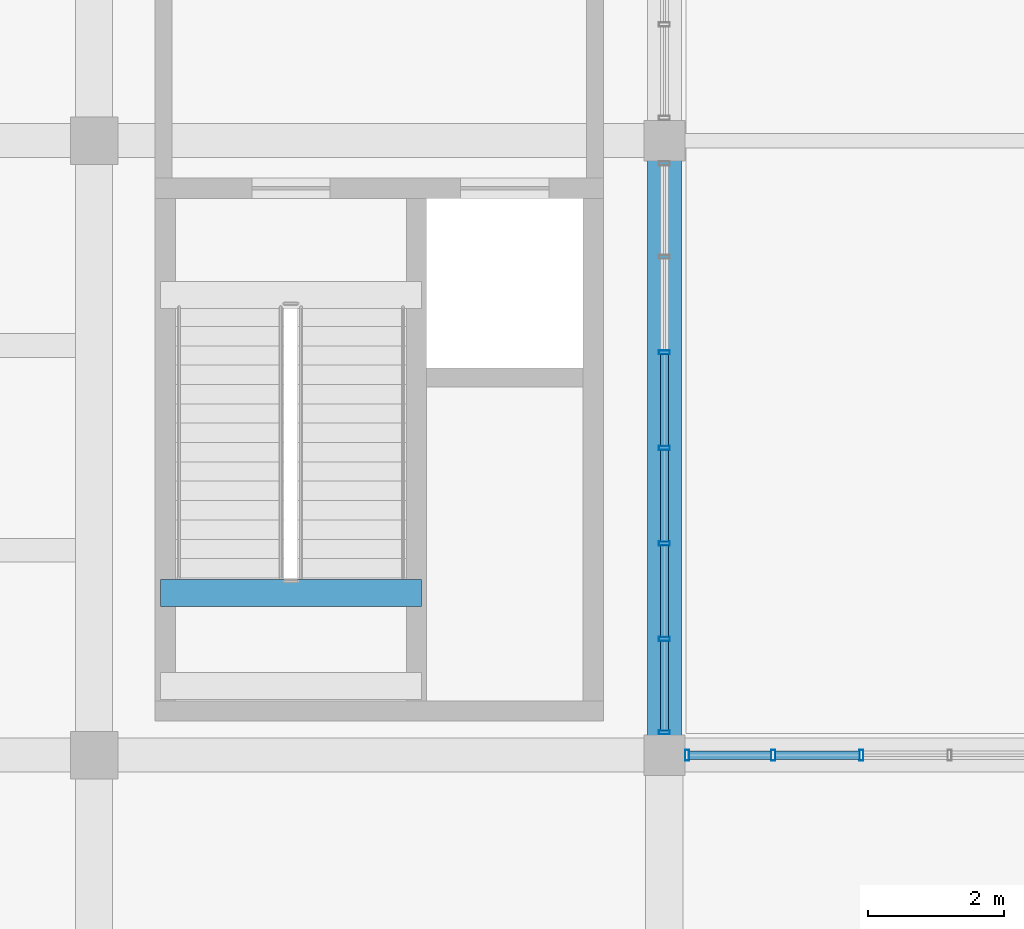
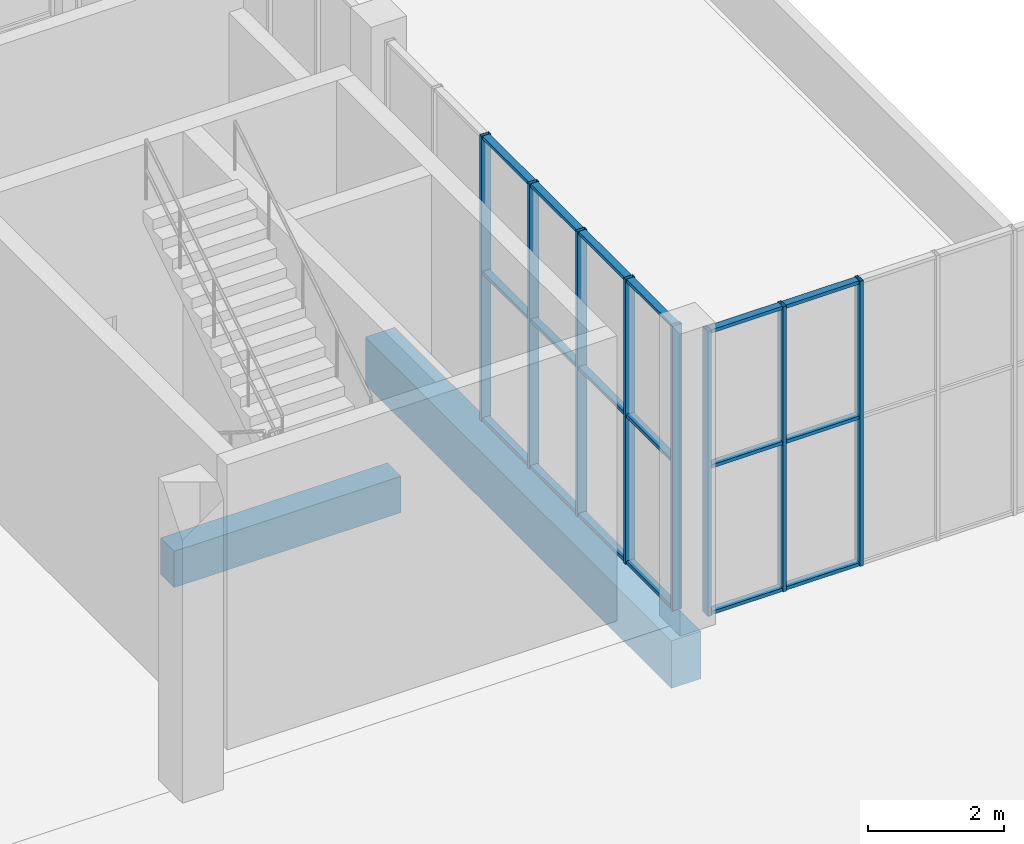
# One storey, part 81 of 132: 26 members, 2 beams, 2 elements without a shape of their own.
"""IFC4 building model written with IfcOpenShell, lengths in metres."""

from ifc_helpers import new_model, si_unit, direction, frame, origin, origin_2d, place, context, subcontext, project, spatial, rectangle, hollow_rectangle, extrude, material, material_profile, profile_set, type_object, element, aggregate, save


model = new_model("IFC4")

# Units and contexts
model_context = context("Model", 3, precision=1e-05, world=origin(), true_north=direction((0.0, 1.0)))
body_context = subcontext(model_context, "Body", "Model", "MODEL_VIEW")
ifc_project = project(units=[si_unit("LENGTHUNIT", "METRE"), si_unit("AREAUNIT", "SQUARE_METRE"), si_unit("VOLUMEUNIT", "CUBIC_METRE"), si_unit("PLANEANGLEUNIT", "RADIAN"), si_unit("MASSUNIT", "GRAM", prefix="KILO")], contexts=[model_context])

# Site, building, storey
site_placement = place(None, origin())
site = spatial("IfcSite", under=ifc_project, at=site_placement, CompositionType="ELEMENT")
building_placement = place(site_placement, origin())
building = spatial("IfcBuilding", under=site, at=building_placement, Name="Khurvash Pelagic Aquarium", CompositionType="ELEMENT")
storey_placement = place(building_placement, frame((0.0, 0.0, 5.39990234375)))
storey = spatial("IfcBuildingStorey", under=building, at=storey_placement, Name="L01", CompositionType="ELEMENT", Elevation=5.39990234375)

# Beam
ifc_material_1 = material(Name="Concrete C35/45", Category="concrete")
ifc_material_profile_1 = material_profile(ifc_material_1, rectangle(XDim=0.39990234375, YDim=0.64990234375, at=origin_2d()), Name="RC400X650")
ifc_profile_set_1 = profile_set([ifc_material_profile_1], Name="Concrete C35/45")
beam_type_1 = type_object("IfcBeamType", Name="BM-05", PredefinedType="BEAM", material=ifc_profile_set_1)
beam_1_placement = place(storey_placement, frame((110.179931640625, 86.43994140625, 2.175048828125), z_axis=(1.0, 0.0, 0.0), x_axis=(0.0, 1.0, 0.0)))
element("IfcBeam", 1, at=beam_1_placement, inside=storey, type_object=beam_type_1, Name="L01 Stair ST-06 Mid-Landing Trimmer Beam BM-05", PredefinedType="BEAM", context=body_context, shape_type="SweptSolid", body=[
    extrude(rectangle(XDim=0.39990234375, YDim=0.64990234375, at=origin_2d()), origin(), (0.0, 0.0, 1.0), 3.840087890625),
])

# Curtain wall, members
ifc_material_2 = material(Name="Anodised aluminium and low-E laminated glass", Category="aluminium")
curtain_wall_type_1 = type_object("IfcCurtainWallType", Name="CW-05", PredefinedType="USERDEFINED", material=ifc_material_2)
curtain_wall_1_placement = place(storey_placement, origin())
curtain_wall_1 = element("IfcCurtainWall", 2, at=curtain_wall_1_placement, inside=storey, type_object=curtain_wall_type_1, Name="L01 Facade Unitised Curtain Wall CW-05 0111", ObjectType="UNITISED CURTAIN WALL", PredefinedType="USERDEFINED")
ifc_material_3 = material(Name="Extruded aluminium AW-6063-T6", Category="aluminium")
ifc_material_profile_2 = material_profile(ifc_material_3, hollow_rectangle(XDim=0.06005859375, YDim=0.159912109375, WallThickness=0.00390625, at=origin_2d()), Name="CWM60X160X4")
ifc_profile_set_2 = profile_set([ifc_material_profile_2], Name="Extruded aluminium AW-6063-T6")
member_type_1 = type_object("IfcMemberType", Name="CM-02", PredefinedType="MULLION", material=ifc_profile_set_2)
member_1_placement = place(storey_placement, frame((120.501708984375, 84.050048828125, 0.0), z_axis=(0.0, 0.0, 1.0), x_axis=(-1.0, 0.0, 0.0)))
member_1 = element("IfcMember", 3, at=member_1_placement, type_object=member_type_1, Name="CW-05 mullion 5", PredefinedType="MULLION", context=body_context, shape_type="SweptSolid", body=[
    extrude(hollow_rectangle(XDim=0.06005859375, YDim=0.159912109375, WallThickness=0.00390625, at=origin_2d()), origin(), (0.0, 0.0, 1.0), 5.10009765625),
])
member_2_placement = place(storey_placement, frame((119.203369140625, 84.050048828125, 0.0), z_axis=(0.0, 0.0, 1.0), x_axis=(-1.0, 0.0, 0.0)))
member_2 = element("IfcMember", 4, at=member_2_placement, type_object=member_type_1, Name="CW-05 mullion 6", PredefinedType="MULLION", context=body_context, shape_type="SweptSolid", body=[
    extrude(hollow_rectangle(XDim=0.06005859375, YDim=0.159912109375, WallThickness=0.00390625, at=origin_2d()), origin(), (0.0, 0.0, 1.0), 5.10009765625),
])
member_3_placement = place(storey_placement, frame((117.93505859375, 84.050048828125, 0.0), z_axis=(0.0, 0.0, 1.0), x_axis=(-1.0, 0.0, 0.0)))
member_3 = element("IfcMember", 5, at=member_3_placement, type_object=member_type_1, Name="CW-05 mullion 7", PredefinedType="MULLION", context=body_context, shape_type="SweptSolid", body=[
    extrude(hollow_rectangle(XDim=0.06005859375, YDim=0.159912109375, WallThickness=0.00390625, at=origin_2d()), origin(), (0.0, 0.0, 1.0), 5.10009765625),
])

curtain_wall_type_2 = type_object("IfcCurtainWallType", Name="CW-06", PredefinedType="USERDEFINED", material=ifc_material_2)
curtain_wall_2_placement = place(storey_placement, origin())
curtain_wall_2 = element("IfcCurtainWall", 6, at=curtain_wall_2_placement, inside=storey, type_object=curtain_wall_type_2, Name="L01 Facade Unitised Curtain Wall CW-06 0112", ObjectType="UNITISED CURTAIN WALL", PredefinedType="USERDEFINED")
member_4_placement = place(storey_placement, frame((117.60009765625, 84.385009765625, 0.0), z_axis=(0.0, 0.0, 1.0), x_axis=(0.0, 1.0, 0.0)))
member_4 = element("IfcMember", 7, at=member_4_placement, type_object=member_type_1, Name="CW-06 mullion 1", PredefinedType="MULLION", context=body_context, shape_type="SweptSolid", body=[
    extrude(hollow_rectangle(XDim=0.06005859375, YDim=0.159912109375, WallThickness=0.00390625, at=origin_2d()), origin(), (0.0, 0.0, 1.0), 5.10009765625),
])
member_5_placement = place(storey_placement, frame((117.60009765625, 85.76171875, 0.0), z_axis=(0.0, 0.0, 1.0), x_axis=(0.0, 1.0, 0.0)))
member_5 = element("IfcMember", 8, at=member_5_placement, type_object=member_type_1, Name="CW-06 mullion 2", PredefinedType="MULLION", context=body_context, shape_type="SweptSolid", body=[
    extrude(hollow_rectangle(XDim=0.06005859375, YDim=0.159912109375, WallThickness=0.00390625, at=origin_2d()), origin(), (0.0, 0.0, 1.0), 5.10009765625),
])
member_6_placement = place(storey_placement, frame((117.60009765625, 87.168212890625, 0.0), z_axis=(0.0, 0.0, 1.0), x_axis=(0.0, 1.0, 0.0)))
member_6 = element("IfcMember", 9, at=member_6_placement, type_object=member_type_1, Name="CW-06 mullion 3", PredefinedType="MULLION", context=body_context, shape_type="SweptSolid", body=[
    extrude(hollow_rectangle(XDim=0.06005859375, YDim=0.159912109375, WallThickness=0.00390625, at=origin_2d()), origin(), (0.0, 0.0, 1.0), 5.10009765625),
])
member_7_placement = place(storey_placement, frame((117.60009765625, 88.574951171875, 0.0), z_axis=(0.0, 0.0, 1.0), x_axis=(0.0, 1.0, 0.0)))
member_7 = element("IfcMember", 10, at=member_7_placement, type_object=member_type_1, Name="CW-06 mullion 4", PredefinedType="MULLION", context=body_context, shape_type="SweptSolid", body=[
    extrude(hollow_rectangle(XDim=0.06005859375, YDim=0.159912109375, WallThickness=0.00390625, at=origin_2d()), origin(), (0.0, 0.0, 1.0), 5.10009765625),
])
member_8_placement = place(storey_placement, frame((117.60009765625, 89.981689453125, 0.0), z_axis=(0.0, 0.0, 1.0), x_axis=(0.0, 1.0, 0.0)))
member_8 = element("IfcMember", 11, at=member_8_placement, type_object=member_type_1, Name="CW-06 mullion 5", PredefinedType="MULLION", context=body_context, shape_type="SweptSolid", body=[
    extrude(hollow_rectangle(XDim=0.06005859375, YDim=0.159912109375, WallThickness=0.00390625, at=origin_2d()), origin(), (0.0, 0.0, 1.0), 5.10009765625),
])

# Member
ifc_material_profile_3 = material_profile(ifc_material_3, hollow_rectangle(XDim=0.1201171875, YDim=0.06005859375, WallThickness=0.00390625, at=origin_2d()), Name="CWT120X60X4")
ifc_profile_set_3 = profile_set([ifc_material_profile_3], Name="Extruded aluminium AW-6063-T6")
member_type_2 = type_object("IfcMemberType", Name="CT-02", PredefinedType="USERDEFINED", material=ifc_profile_set_3)
member_9_placement = place(storey_placement, frame((120.4716796875, 84.050048828125, 0.030029296875), z_axis=(-1.0, 0.0, 0.0), x_axis=(0.0, -1.0, 0.0)))
member_9 = element("IfcMember", 12, at=member_9_placement, type_object=member_type_2, Name="CW-05 transom 5.1", ObjectType="TRANSOM", PredefinedType="USERDEFINED", context=body_context, shape_type="SweptSolid", body=[
    extrude(hollow_rectangle(XDim=0.1201171875, YDim=0.06005859375, WallThickness=0.00390625, at=origin_2d()), origin(), (0.0, 0.0, 1.0), 1.23828125),
])

member_10_placement = place(storey_placement, frame((120.4716796875, 84.050048828125, 2.652099609375), z_axis=(-1.0, 0.0, 0.0), x_axis=(0.0, -1.0, 0.0)))
member_10 = element("IfcMember", 13, at=member_10_placement, type_object=member_type_2, Name="CW-05 transom 5.2", ObjectType="TRANSOM", PredefinedType="USERDEFINED", context=body_context, shape_type="SweptSolid", body=[
    extrude(hollow_rectangle(XDim=0.1201171875, YDim=0.06005859375, WallThickness=0.00390625, at=origin_2d()), origin(), (0.0, 0.0, 1.0), 1.23828125),
])

member_11_placement = place(storey_placement, frame((120.4716796875, 84.050048828125, 5.070068359375), z_axis=(-1.0, 0.0, 0.0), x_axis=(0.0, -1.0, 0.0)))
member_11 = element("IfcMember", 14, at=member_11_placement, type_object=member_type_2, Name="CW-05 transom 5.3", ObjectType="TRANSOM", PredefinedType="USERDEFINED", context=body_context, shape_type="SweptSolid", body=[
    extrude(hollow_rectangle(XDim=0.1201171875, YDim=0.06005859375, WallThickness=0.00390625, at=origin_2d()), origin(), (0.0, 0.0, 1.0), 1.23828125),
])

member_12_placement = place(storey_placement, frame((119.17333984375, 84.050048828125, 0.030029296875), z_axis=(-1.0, 0.0, 0.0), x_axis=(0.0, -1.0, 0.0)))
member_12 = element("IfcMember", 15, at=member_12_placement, type_object=member_type_2, Name="CW-05 transom 6.1", ObjectType="TRANSOM", PredefinedType="USERDEFINED", context=body_context, shape_type="SweptSolid", body=[
    extrude(hollow_rectangle(XDim=0.1201171875, YDim=0.06005859375, WallThickness=0.00390625, at=origin_2d()), origin(), (0.0, 0.0, 1.0), 1.208251953125),
])

member_13_placement = place(storey_placement, frame((119.17333984375, 84.050048828125, 2.652099609375), z_axis=(-1.0, 0.0, 0.0), x_axis=(0.0, -1.0, 0.0)))
member_13 = element("IfcMember", 16, at=member_13_placement, type_object=member_type_2, Name="CW-05 transom 6.2", ObjectType="TRANSOM", PredefinedType="USERDEFINED", context=body_context, shape_type="SweptSolid", body=[
    extrude(hollow_rectangle(XDim=0.1201171875, YDim=0.06005859375, WallThickness=0.00390625, at=origin_2d()), origin(), (0.0, 0.0, 1.0), 1.208251953125),
])

member_14_placement = place(storey_placement, frame((119.17333984375, 84.050048828125, 5.070068359375), z_axis=(-1.0, 0.0, 0.0), x_axis=(0.0, -1.0, 0.0)))
member_14 = element("IfcMember", 17, at=member_14_placement, type_object=member_type_2, Name="CW-05 transom 6.3", ObjectType="TRANSOM", PredefinedType="USERDEFINED", context=body_context, shape_type="SweptSolid", body=[
    extrude(hollow_rectangle(XDim=0.1201171875, YDim=0.06005859375, WallThickness=0.00390625, at=origin_2d()), origin(), (0.0, 0.0, 1.0), 1.208251953125),
])

aggregate(curtain_wall_1, [member_1, member_2, member_3, member_9, member_10, member_11, member_12, member_13, member_14])

member_15_placement = place(storey_placement, frame((117.60009765625, 84.4150390625, 0.030029296875), z_axis=(0.0, 1.0, 0.0), x_axis=(-1.0, 0.0, 0.0)))
member_15 = element("IfcMember", 18, at=member_15_placement, type_object=member_type_2, Name="CW-06 transom 1.1", ObjectType="TRANSOM", PredefinedType="USERDEFINED", context=body_context, shape_type="SweptSolid", body=[
    extrude(hollow_rectangle(XDim=0.1201171875, YDim=0.06005859375, WallThickness=0.00390625, at=origin_2d()), origin(), (0.0, 0.0, 1.0), 1.316650390625),
])

member_16_placement = place(storey_placement, frame((117.60009765625, 84.4150390625, 2.652099609375), z_axis=(0.0, 1.0, 0.0), x_axis=(-1.0, 0.0, 0.0)))
member_16 = element("IfcMember", 19, at=member_16_placement, type_object=member_type_2, Name="CW-06 transom 1.2", ObjectType="TRANSOM", PredefinedType="USERDEFINED", context=body_context, shape_type="SweptSolid", body=[
    extrude(hollow_rectangle(XDim=0.1201171875, YDim=0.06005859375, WallThickness=0.00390625, at=origin_2d()), origin(), (0.0, 0.0, 1.0), 1.316650390625),
])

member_17_placement = place(storey_placement, frame((117.60009765625, 84.4150390625, 5.070068359375), z_axis=(0.0, 1.0, 0.0), x_axis=(-1.0, 0.0, 0.0)))
member_17 = element("IfcMember", 20, at=member_17_placement, type_object=member_type_2, Name="CW-06 transom 1.3", ObjectType="TRANSOM", PredefinedType="USERDEFINED", context=body_context, shape_type="SweptSolid", body=[
    extrude(hollow_rectangle(XDim=0.1201171875, YDim=0.06005859375, WallThickness=0.00390625, at=origin_2d()), origin(), (0.0, 0.0, 1.0), 1.316650390625),
])

member_18_placement = place(storey_placement, frame((117.60009765625, 85.791748046875, 0.030029296875), z_axis=(0.0, 1.0, 0.0), x_axis=(-1.0, 0.0, 0.0)))
member_18 = element("IfcMember", 21, at=member_18_placement, type_object=member_type_2, Name="CW-06 transom 2.1", ObjectType="TRANSOM", PredefinedType="USERDEFINED", context=body_context, shape_type="SweptSolid", body=[
    extrude(hollow_rectangle(XDim=0.1201171875, YDim=0.06005859375, WallThickness=0.00390625, at=origin_2d()), origin(), (0.0, 0.0, 1.0), 1.3466796875),
])

member_19_placement = place(storey_placement, frame((117.60009765625, 85.791748046875, 2.652099609375), z_axis=(0.0, 1.0, 0.0), x_axis=(-1.0, 0.0, 0.0)))
member_19 = element("IfcMember", 22, at=member_19_placement, type_object=member_type_2, Name="CW-06 transom 2.2", ObjectType="TRANSOM", PredefinedType="USERDEFINED", context=body_context, shape_type="SweptSolid", body=[
    extrude(hollow_rectangle(XDim=0.1201171875, YDim=0.06005859375, WallThickness=0.00390625, at=origin_2d()), origin(), (0.0, 0.0, 1.0), 1.3466796875),
])

member_20_placement = place(storey_placement, frame((117.60009765625, 85.791748046875, 5.070068359375), z_axis=(0.0, 1.0, 0.0), x_axis=(-1.0, 0.0, 0.0)))
member_20 = element("IfcMember", 23, at=member_20_placement, type_object=member_type_2, Name="CW-06 transom 2.3", ObjectType="TRANSOM", PredefinedType="USERDEFINED", context=body_context, shape_type="SweptSolid", body=[
    extrude(hollow_rectangle(XDim=0.1201171875, YDim=0.06005859375, WallThickness=0.00390625, at=origin_2d()), origin(), (0.0, 0.0, 1.0), 1.3466796875),
])

member_21_placement = place(storey_placement, frame((117.60009765625, 87.1982421875, 0.030029296875), z_axis=(0.0, 1.0, 0.0), x_axis=(-1.0, 0.0, 0.0)))
member_21 = element("IfcMember", 24, at=member_21_placement, type_object=member_type_2, Name="CW-06 transom 3.1", ObjectType="TRANSOM", PredefinedType="USERDEFINED", context=body_context, shape_type="SweptSolid", body=[
    extrude(hollow_rectangle(XDim=0.1201171875, YDim=0.06005859375, WallThickness=0.00390625, at=origin_2d()), origin(), (0.0, 0.0, 1.0), 1.3466796875),
])

member_22_placement = place(storey_placement, frame((117.60009765625, 87.1982421875, 2.652099609375), z_axis=(0.0, 1.0, 0.0), x_axis=(-1.0, 0.0, 0.0)))
member_22 = element("IfcMember", 25, at=member_22_placement, type_object=member_type_2, Name="CW-06 transom 3.2", ObjectType="TRANSOM", PredefinedType="USERDEFINED", context=body_context, shape_type="SweptSolid", body=[
    extrude(hollow_rectangle(XDim=0.1201171875, YDim=0.06005859375, WallThickness=0.00390625, at=origin_2d()), origin(), (0.0, 0.0, 1.0), 1.3466796875),
])

member_23_placement = place(storey_placement, frame((117.60009765625, 87.1982421875, 5.070068359375), z_axis=(0.0, 1.0, 0.0), x_axis=(-1.0, 0.0, 0.0)))
member_23 = element("IfcMember", 26, at=member_23_placement, type_object=member_type_2, Name="CW-06 transom 3.3", ObjectType="TRANSOM", PredefinedType="USERDEFINED", context=body_context, shape_type="SweptSolid", body=[
    extrude(hollow_rectangle(XDim=0.1201171875, YDim=0.06005859375, WallThickness=0.00390625, at=origin_2d()), origin(), (0.0, 0.0, 1.0), 1.3466796875),
])

member_24_placement = place(storey_placement, frame((117.60009765625, 88.60498046875, 0.030029296875), z_axis=(0.0, 1.0, 0.0), x_axis=(-1.0, 0.0, 0.0)))
member_24 = element("IfcMember", 27, at=member_24_placement, type_object=member_type_2, Name="CW-06 transom 4.1", ObjectType="TRANSOM", PredefinedType="USERDEFINED", context=body_context, shape_type="SweptSolid", body=[
    extrude(hollow_rectangle(XDim=0.1201171875, YDim=0.06005859375, WallThickness=0.00390625, at=origin_2d()), origin(), (0.0, 0.0, 1.0), 1.3466796875),
])

member_25_placement = place(storey_placement, frame((117.60009765625, 88.60498046875, 2.652099609375), z_axis=(0.0, 1.0, 0.0), x_axis=(-1.0, 0.0, 0.0)))
member_25 = element("IfcMember", 28, at=member_25_placement, type_object=member_type_2, Name="CW-06 transom 4.2", ObjectType="TRANSOM", PredefinedType="USERDEFINED", context=body_context, shape_type="SweptSolid", body=[
    extrude(hollow_rectangle(XDim=0.1201171875, YDim=0.06005859375, WallThickness=0.00390625, at=origin_2d()), origin(), (0.0, 0.0, 1.0), 1.3466796875),
])

member_26_placement = place(storey_placement, frame((117.60009765625, 88.60498046875, 5.070068359375), z_axis=(0.0, 1.0, 0.0), x_axis=(-1.0, 0.0, 0.0)))
member_26 = element("IfcMember", 29, at=member_26_placement, type_object=member_type_2, Name="CW-06 transom 4.3", ObjectType="TRANSOM", PredefinedType="USERDEFINED", context=body_context, shape_type="SweptSolid", body=[
    extrude(hollow_rectangle(XDim=0.1201171875, YDim=0.06005859375, WallThickness=0.00390625, at=origin_2d()), origin(), (0.0, 0.0, 1.0), 1.3466796875),
])

aggregate(curtain_wall_2, [member_4, member_5, member_6, member_7, member_8, member_15, member_16, member_17, member_18, member_19, member_20, member_21, member_22, member_23, member_24, member_25, member_26])

# Beam
ifc_material_4 = material(Name="Concrete C40/50", Category="concrete")
ifc_material_profile_4 = material_profile(ifc_material_4, rectangle(XDim=0.5, YDim=0.85009765625, at=origin_2d()), Name="RC500X850")
ifc_profile_set_4 = profile_set([ifc_material_profile_4], Name="Concrete C40/50")
beam_type_2 = type_object("IfcBeamType", Name="SEB-03", PredefinedType="SPANDREL", material=ifc_profile_set_4)
beam_2_placement = place(storey_placement, frame((117.60009765625, 84.090087890625, -0.73486328125), z_axis=(0.0, 1.0, 0.0), x_axis=(-1.0, 0.0, 0.0)))
element("IfcBeam", 30, at=beam_2_placement, inside=storey, type_object=beam_type_2, Name="L01 Primary Girder SEB-03 00426", PredefinedType="SPANDREL", context=body_context, shape_type="SweptSolid", body=[
    extrude(rectangle(XDim=0.5, YDim=0.85009765625, at=origin_2d()), origin(), (0.0, 0.0, 1.0), 8.969970703125),
])

save(model, "model.ifc")
